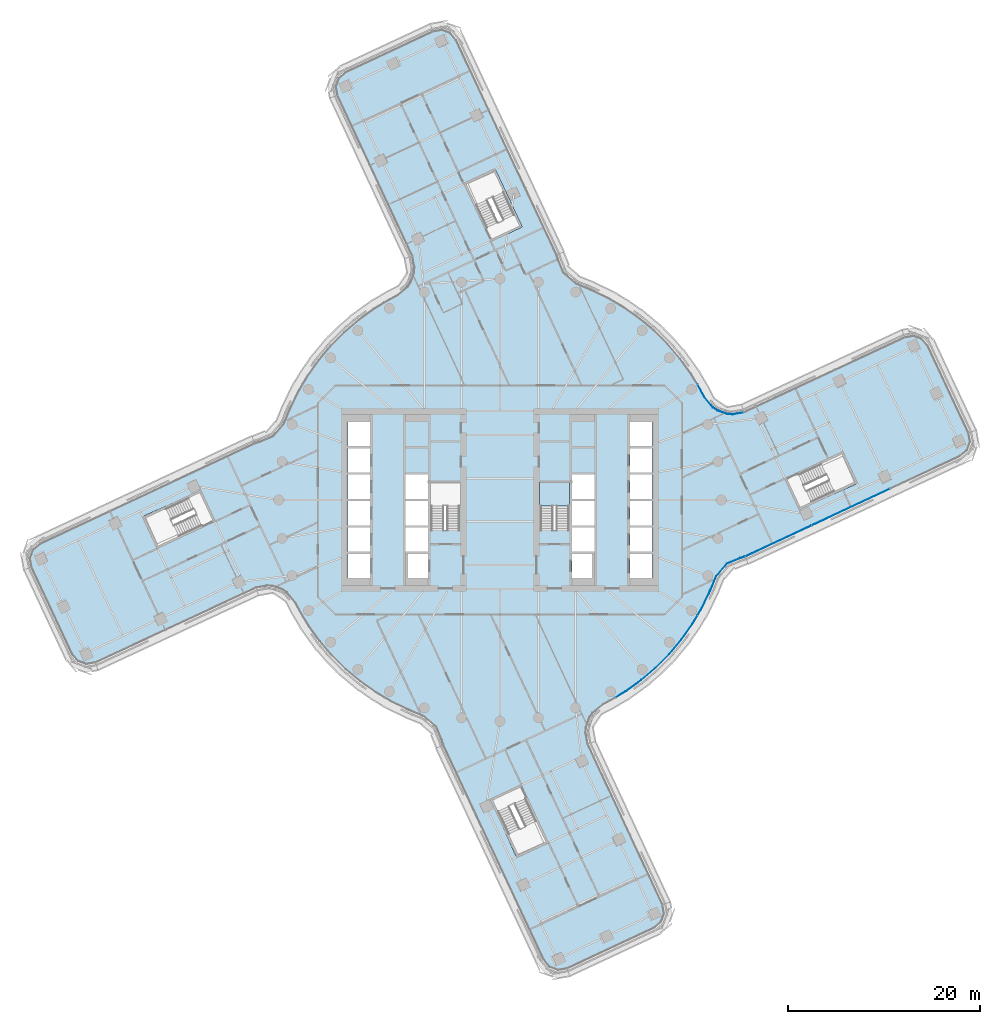
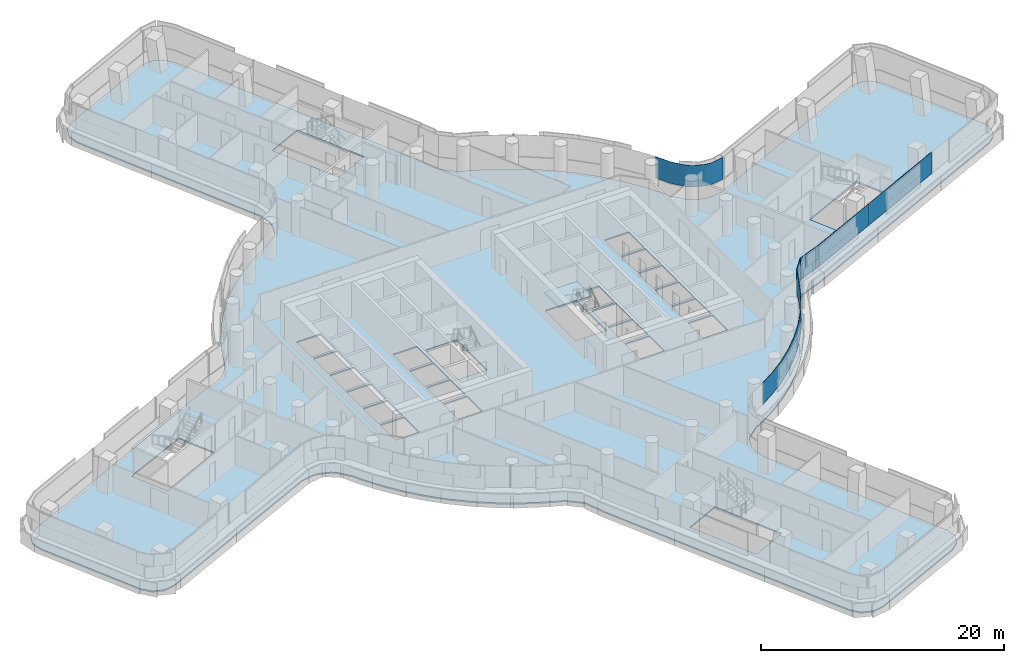
# One storey, part 21 of 36: 5 plates, 2 slabs, 4 elements without a shape of their own.
"""IFC4 building model written with IfcOpenShell, lengths in metres."""

from ifc_helpers import new_model, si_unit, direction, frame, origin, place, context, subcontext, project, spatial, polyline, outline, extrude, material, layer, layer_set, type_object, element, aggregate, save


model = new_model("IFC4")

# Units and contexts
model_context = context("Model", 3, precision=1e-05, world=origin(), true_north=direction((0.0, 1.0)))
body_context = subcontext(model_context, "Body", "Model", "MODEL_VIEW")
ifc_project = project(units=[si_unit("LENGTHUNIT", "METRE"), si_unit("AREAUNIT", "SQUARE_METRE"), si_unit("VOLUMEUNIT", "CUBIC_METRE"), si_unit("PLANEANGLEUNIT", "RADIAN"), si_unit("MASSUNIT", "GRAM", prefix="KILO")], contexts=[model_context])

# Site, building, storey
site_placement = place(None, origin())
site = spatial("IfcSite", under=ifc_project, at=site_placement, CompositionType="ELEMENT")
building_placement = place(site_placement, origin())
building = spatial("IfcBuilding", under=site, at=building_placement, Name="Tamarind Cross Interchange Tower", CompositionType="ELEMENT")
storey_placement = place(building_placement, frame((0.0, 0.0, 124.75)))
storey = spatial("IfcBuildingStorey", under=building, at=storey_placement, Name="L30", CompositionType="ELEMENT", Elevation=124.75)

# Slab
ifc_material_1 = material(Name="Concrete C35", Category="concrete")
ifc_layer_1 = layer(ifc_material_1, 0.139892578125)
ifc_layer_set_1 = layer_set([ifc_layer_1], Name="Concrete C35")
slab_type_1 = type_object("IfcSlabType", Name="Composite slab 140 Concrete C35", PredefinedType="FLOOR", material=ifc_layer_set_1)
slab_1_placement = place(storey_placement, frame((0.0, 0.0, -0.139892578125)))
element("IfcSlab", 1, at=slab_1_placement, inside=storey, type_object=slab_type_1, Name="Floor slab L30", PredefinedType="FLOOR", context=body_context, shape_type="SweptSolid", body=[
    extrude(outline(polyline([(-25.065185546875, 6.218994140625), (-25.56298828125, 6.061279296875), (-47.91259765625, -4.396484375), (-48.704833984375, -5.06298828125), (-49.0576171875, -6.0361328125), (-48.876708984375, -7.055419921875), (-44.638671875, -16.113037109375), (-43.97216796875, -16.9052734375), (-42.998779296875, -17.258056640625), (-41.9794921875, -17.076904296875), (-25.287109375, -9.302978515625), (-24.158935546875, -9.099365234375), (-23.656982421875, -9.1396484375), (-22.699462890625, -9.4775390625), (-22.283447265625, -9.76123046875), (-21.39111328125, -10.84228515625), (-21.054443359375, -11.511474609375), (-20.031982421875, -13.2109375), (-18.87255859375, -14.820068359375), (-17.584228515625, -16.327880859375), (-16.17578125, -17.72412109375), (-14.656982421875, -18.99951171875), (-13.0380859375, -20.14501953125), (-11.329833984375, -21.15283203125), (-9.54443359375, -22.01611328125), (-8.018310546875, -22.646484375), (-6.785888671875, -23.696044921875), (-6.218994140625, -25.065185546875), (-6.061279296875, -25.56298828125), (4.396484375, -47.91259765625), (5.06298828125, -48.704833984375), (6.0361328125, -49.0576171875), (7.055419921875, -48.876708984375), (16.113037109375, -44.638671875), (16.9052734375, -43.97216796875), (17.258056640625, -42.998779296875), (17.076904296875, -41.9794921875), (9.302978515625, -25.287109375), (9.099365234375, -24.158935546875), (9.1396484375, -23.656982421875), (9.4775390625, -22.699462890625), (9.76123046875, -22.283447265625), (10.84228515625, -21.39111328125), (11.511474609375, -21.054443359375), (13.2109375, -20.031982421875), (14.820068359375, -18.87255859375), (16.327880859375, -17.584228515625), (17.72412109375, -16.17578125), (18.99951171875, -14.656982421875), (20.14501953125, -13.0380859375), (21.15283203125, -11.329833984375), (22.01611328125, -9.54443359375), (22.646484375, -8.018310546875), (23.696044921875, -6.785888671875), (25.065185546875, -6.218994140625), (25.56298828125, -6.061279296875), (47.91259765625, 4.396484375), (48.704833984375, 5.06298828125), (49.0576171875, 6.0361328125), (48.876708984375, 7.055419921875), (44.638671875, 16.113037109375), (43.97216796875, 16.9052734375), (42.998779296875, 17.258056640625), (41.9794921875, 17.076904296875), (25.287109375, 9.302978515625), (24.158935546875, 9.099365234375), (23.656982421875, 9.1396484375), (22.699462890625, 9.4775390625), (22.283447265625, 9.76123046875), (21.39111328125, 10.84228515625), (21.054443359375, 11.511474609375), (20.031982421875, 13.2109375), (18.87255859375, 14.820068359375), (17.584228515625, 16.327880859375), (16.17578125, 17.72412109375), (14.656982421875, 18.99951171875), (13.0380859375, 20.14501953125), (11.329833984375, 21.15283203125), (9.54443359375, 22.01611328125), (8.018310546875, 22.646484375), (6.785888671875, 23.696044921875), (6.218994140625, 25.065185546875), (6.061279296875, 25.56298828125), (-4.396484375, 47.91259765625), (-5.06298828125, 48.704833984375), (-6.0361328125, 49.0576171875), (-7.055419921875, 48.876708984375), (-16.113037109375, 44.638671875), (-16.9052734375, 43.97216796875), (-17.258056640625, 42.998779296875), (-17.076904296875, 41.9794921875), (-9.302978515625, 25.287109375), (-9.099365234375, 24.158935546875), (-9.1396484375, 23.656982421875), (-9.4775390625, 22.699462890625), (-9.76123046875, 22.283447265625), (-10.84228515625, 21.39111328125), (-11.511474609375, 21.054443359375), (-13.2109375, 20.031982421875), (-14.820068359375, 18.87255859375), (-16.327880859375, 17.584228515625), (-17.72412109375, 16.17578125), (-18.99951171875, 14.656982421875), (-20.14501953125, 13.0380859375), (-21.15283203125, 11.329833984375), (-22.01611328125, 9.54443359375), (-22.646484375, 8.018310546875), (-23.696044921875, 6.785888671875), (-25.065185546875, 6.218994140625)]), holes=[polyline([(-13.5, -8.125), (-15.800048828125, -8.125), (-15.800048828125, -5.625), (-13.5, -5.625), (-13.5, -8.125)]), polyline([(-7.5, -8.125), (-9.800048828125, -8.125), (-9.800048828125, -5.625), (-7.5, -5.625), (-7.5, -8.125)]), polyline([(-13.5, -5.375), (-15.800048828125, -5.375), (-15.800048828125, -2.875), (-13.5, -2.875), (-13.5, -5.375)]), polyline([(-35.64208984375, -5.058349609375), (-35.726806640625, -4.877197265625), (-37.0830078125, -1.978759765625), (-37.167724609375, -1.797607421875), (-36.909423828125, -1.6767578125), (-36.933837890625, -1.621826171875), (-33.92919921875, -0.2822265625), (-31.09912109375, 1.0419921875), (-31.014404296875, 0.86083984375), (-29.658203125, -2.03759765625), (-29.573486328125, -2.21875), (-35.64208984375, -5.058349609375)]), polyline([(-13.5, -2.625), (-15.800048828125, -2.625), (-15.800048828125, -0.125), (-13.5, -0.125), (-13.5, -2.625)]), polyline([(-7.5, -2.625), (-9.800048828125, -2.625), (-9.800048828125, -0.125), (-7.5, -0.125), (-7.5, -2.625)]), polyline([(-13.5, 0.125), (-15.800048828125, 0.125), (-15.800048828125, 2.625), (-13.5, 2.625), (-13.5, 0.125)]), polyline([(-7.5, 0.125), (-9.800048828125, 0.125), (-9.800048828125, 2.625), (-7.5, 2.625), (-7.5, 0.125)]), polyline([(-13.5, 2.875), (-15.800048828125, 2.875), (-15.800048828125, 5.375), (-13.5, 5.375), (-13.5, 2.875)]), polyline([(-15.800048828125, 5.625), (-15.800048828125, 8.125), (-13.5, 8.125), (-13.5, 5.625), (-15.800048828125, 5.625)]), polyline([(5.058349609375, -35.64208984375), (4.877197265625, -35.726806640625), (1.978759765625, -37.0830078125), (1.797607421875, -37.167724609375), (1.6767578125, -36.909423828125), (1.621826171875, -36.933837890625), (0.2822265625, -33.92919921875), (-1.0419921875, -31.09912109375), (-0.86083984375, -31.014404296875), (2.03759765625, -29.658203125), (2.21875, -29.573486328125), (5.058349609375, -35.64208984375)]), polyline([(-9.800048828125, -5.375), (-9.800048828125, -2.875), (-7.5, -2.875), (-7.5, -5.375), (-9.800048828125, -5.375)]), polyline([(-4.199951171875, -3.18798828125), (-7.14990234375, -3.18798828125), (-7.14990234375, 1.800048828125), (-4.199951171875, 1.800048828125), (-4.199951171875, -3.18798828125)]), polyline([(7.14990234375, 1.800048828125), (7.14990234375, -3.18798828125), (4.199951171875, -3.18798828125), (4.199951171875, 1.800048828125), (7.14990234375, 1.800048828125)]), polyline([(7.5, 2.625), (9.800048828125, 2.625), (9.800048828125, 0.125), (7.5, 0.125), (7.5, 2.625)]), polyline([(-0.76611328125, 26.94091796875), (-0.947509765625, 26.856201171875), (-3.786865234375, 32.9248046875), (-3.605712890625, 33.009521484375), (-0.707275390625, 34.36572265625), (-0.526123046875, 34.450439453125), (-0.405029296875, 34.191650390625), (-0.400390625, 34.19384765625), (-0.2822265625, 33.92919921875), (2.313232421875, 28.3818359375), (2.132080078125, 28.297119140625), (-0.76611328125, 26.94091796875)]), polyline([(7.5, -5.625), (9.800048828125, -5.625), (9.800048828125, -8.125), (7.5, -8.125), (7.5, -5.625)]), polyline([(15.800048828125, -5.625), (15.800048828125, -8.125), (13.5, -8.125), (13.5, -5.625), (15.800048828125, -5.625)]), polyline([(9.800048828125, -2.875), (9.800048828125, -5.375), (7.5, -5.375), (7.5, -2.875), (9.800048828125, -2.875)]), polyline([(13.5, -2.875), (15.800048828125, -2.875), (15.800048828125, -5.375), (13.5, -5.375), (13.5, -2.875)]), polyline([(7.5, -0.125), (9.800048828125, -0.125), (9.800048828125, -2.625), (7.5, -2.625), (7.5, -0.125)]), polyline([(13.5, -0.125), (15.800048828125, -0.125), (15.800048828125, -2.625), (13.5, -2.625), (13.5, -0.125)]), polyline([(31.09912109375, -1.0419921875), (31.014404296875, -0.86083984375), (29.658203125, 2.03759765625), (29.573486328125, 2.21875), (35.64208984375, 5.058349609375), (35.726806640625, 4.877197265625), (37.0830078125, 1.978759765625), (37.167724609375, 1.797607421875), (36.909423828125, 1.6767578125), (36.933837890625, 1.621826171875), (33.92919921875, 0.2822265625), (31.09912109375, -1.0419921875)]), polyline([(13.5, 2.625), (15.800048828125, 2.625), (15.800048828125, 0.125), (13.5, 0.125), (13.5, 2.625)]), polyline([(15.800048828125, 5.375), (15.800048828125, 2.875), (13.5, 2.875), (13.5, 5.375), (15.800048828125, 5.375)]), polyline([(15.800048828125, 8.125), (15.800048828125, 5.625), (13.5, 5.625), (13.5, 8.125), (15.800048828125, 8.125)])]), origin(), (0.0, 0.0, 1.0), 0.139892578125),
])

# Stair, slab
ifc_material_2 = material(Name="Exit stair")
stair_type = type_object("IfcStairType", Name="Exit stair", PredefinedType="HALF_TURN_STAIR", material=ifc_material_2)
stair_placement = place(storey_placement, origin())
stair = element("IfcStair", 2, at=stair_placement, inside=storey, type_object=stair_type, Name="L30 exit stair ST2", PredefinedType="HALF_TURN_STAIR")
ifc_material_3 = material(Name="Concrete C40", Category="concrete")
ifc_layer_2 = layer(ifc_material_3, 0.199951171875)
ifc_layer_set_2 = layer_set([ifc_layer_2], Name="Concrete C40")
slab_type_2 = type_object("IfcSlabType", Name="Stair landing", PredefinedType="LANDING", material=ifc_layer_set_2)
slab_2_placement = place(storey_placement, frame((0.0, 0.0, 1.675048828125)))
slab_2 = element("IfcSlab", 3, at=slab_2_placement, type_object=slab_type_2, Name="ST2 landing 1", PredefinedType="LANDING", context=body_context, shape_type="SweptSolid", body=[
    extrude(outline(polyline([(7.199951171875, -0.60009765625), (7.199951171875, 1.800048828125), (4.10009765625, 1.800048828125), (4.10009765625, -0.60009765625), (7.199951171875, -0.60009765625)])), origin(), (0.0, 0.0, 1.0), 0.199951171875),
])
aggregate(stair, [slab_2])

# Curtain wall, plates
ifc_material_4 = material(Name="Aluminium 6063-T6", Category="aluminium")
ifc_layer_3 = layer(ifc_material_4, 0.159912109375)
ifc_layer_set_3 = layer_set([ifc_layer_3], Name="Aluminium 6063-T6")
curtain_wall_type = type_object("IfcCurtainWallType", Name="Office curtain wall, 9.0 m bays", PredefinedType="NOTDEFINED", material=ifc_layer_set_3)
curtain_wall_1_placement = place(storey_placement, origin())
curtain_wall_1 = element("IfcCurtainWall", 4, at=curtain_wall_1_placement, inside=storey, type_object=curtain_wall_type, Name="CWS-L30-06", PredefinedType="NOTDEFINED")
ifc_material_5 = material(Name="Laminated low-e glass 8+1.52+8", Category="glass")
ifc_layer_4 = layer(ifc_material_5, 0.028076171875)
ifc_layer_set_4 = layer_set([ifc_layer_4], Name="Laminated low-e glass 8+1.52+8")
plate_type = type_object("IfcPlateType", Name="Vision panel CW1", PredefinedType="CURTAIN_PANEL", material=ifc_layer_set_4)
plate_1_placement = place(storey_placement, frame((0.0, 0.0, 1.39990234375)))
plate_1 = element("IfcPlate", 5, at=plate_1_placement, type_object=plate_type, Name="CWP-L30-06-01", PredefinedType="CURTAIN_PANEL", context=body_context, shape_type="SweptSolid", body=[
    extrude(outline(polyline([(12.00634765625, -20.507080078125), (13.093017578125, -19.85302734375), (14.687744140625, -18.7041015625), (16.18212890625, -17.42724609375), (17.56591796875, -16.031494140625), (18.829833984375, -14.526123046875), (19.965087890625, -12.921630859375), (20.497314453125, -12.019775390625), (20.521484375, -12.033935546875), (19.988525390625, -12.936767578125), (18.85205078125, -14.543212890625), (17.586669921875, -16.05029296875), (16.201171875, -17.44775390625), (14.705078125, -18.72607421875), (13.1083984375, -19.87646484375), (12.020751953125, -20.531005859375), (12.00634765625, -20.507080078125)])), origin(), (0.0, 0.0, 1.0), 2.170166015625),
])
plate_2_placement = place(storey_placement, frame((0.0, 0.0, 1.39990234375)))
plate_2 = element("IfcPlate", 6, at=plate_2_placement, type_object=plate_type, Name="CWP-L30-06-02", PredefinedType="CURTAIN_PANEL", context=body_context, shape_type="SweptSolid", body=[
    extrude(outline(polyline([(20.52783203125, -11.968017578125), (20.9638671875, -11.228759765625), (21.82080078125, -9.456787109375), (22.46142578125, -7.9052734375), (23.566650390625, -6.608154296875), (24.99169921875, -6.017822265625), (25.457275390625, -5.870361328125), (25.465576171875, -5.89697265625), (25.00146484375, -6.0439453125), (23.58349609375, -6.63134765625), (22.485595703125, -7.920166015625), (21.84619140625, -9.46826171875), (20.98876953125, -11.241943359375), (20.5517578125, -11.982177734375), (20.52783203125, -11.968017578125)])), origin(), (0.0, 0.0, 1.0), 2.170166015625),
])
aggregate(curtain_wall_1, [plate_1, plate_2])

curtain_wall_2_placement = place(storey_placement, origin())
curtain_wall_2 = element("IfcCurtainWall", 7, at=curtain_wall_2_placement, inside=storey, type_object=curtain_wall_type, Name="CWS-L30-07", PredefinedType="NOTDEFINED")
plate_3_placement = place(storey_placement, frame((0.0, 0.0, 1.39990234375)))
plate_3 = element("IfcPlate", 8, at=plate_3_placement, type_object=plate_type, Name="CWP-L30-07-00", PredefinedType="CURTAIN_PANEL", context=body_context, shape_type="SweptSolid", body=[
    extrude(outline(polyline([(25.51123046875, -5.84912109375), (32.3671875, -2.64111328125), (32.379150390625, -2.66650390625), (25.523193359375, -5.87451171875), (25.51123046875, -5.84912109375)])), origin(), (0.0, 0.0, 1.0), 2.170166015625),
])
plate_4_placement = place(storey_placement, frame((0.0, 0.0, 1.39990234375)))
plate_4 = element("IfcPlate", 9, at=plate_4_placement, type_object=plate_type, Name="CWP-L30-07-01", PredefinedType="CURTAIN_PANEL", context=body_context, shape_type="SweptSolid", body=[
    extrude(outline(polyline([(32.421630859375, -2.61572265625), (40.506103515625, 1.1669921875), (40.51806640625, 1.1416015625), (32.43359375, -2.64111328125), (32.421630859375, -2.61572265625)])), origin(), (0.0, 0.0, 1.0), 2.170166015625),
])
aggregate(curtain_wall_2, [plate_3, plate_4])

# Curtain wall, plate
curtain_wall_3_placement = place(storey_placement, origin())
curtain_wall_3 = element("IfcCurtainWall", 10, at=curtain_wall_3_placement, inside=storey, type_object=curtain_wall_type, Name="CWS-L30-10", PredefinedType="NOTDEFINED")
plate_5_placement = place(storey_placement, frame((0.0, 0.0, 1.39990234375)))
plate_5 = element("IfcPlate", 11, at=plate_5_placement, type_object=plate_type, Name="CWP-L30-10-00", PredefinedType="CURTAIN_PANEL", context=body_context, shape_type="SweptSolid", body=[
    extrude(outline(polyline([(25.321044921875, 9.091796875), (24.169677734375, 8.8837890625), (23.6123046875, 8.9287109375), (22.601806640625, 9.28515625), (22.1376953125, 9.6015625), (21.210693359375, 10.724609375), (20.866943359375, 11.408203125), (20.537841796875, 11.954833984375), (20.56201171875, 11.96923828125), (20.891357421875, 11.421630859375), (21.234375, 10.739990234375), (22.15673828125, 9.622314453125), (22.61474609375, 9.310302734375), (23.6181640625, 8.956298828125), (24.168212890625, 8.912109375), (25.316162109375, 9.119384765625), (25.321044921875, 9.091796875)])), origin(), (0.0, 0.0, 1.0), 2.170166015625),
])
aggregate(curtain_wall_3, [plate_5])

save(model, "model.ifc")
